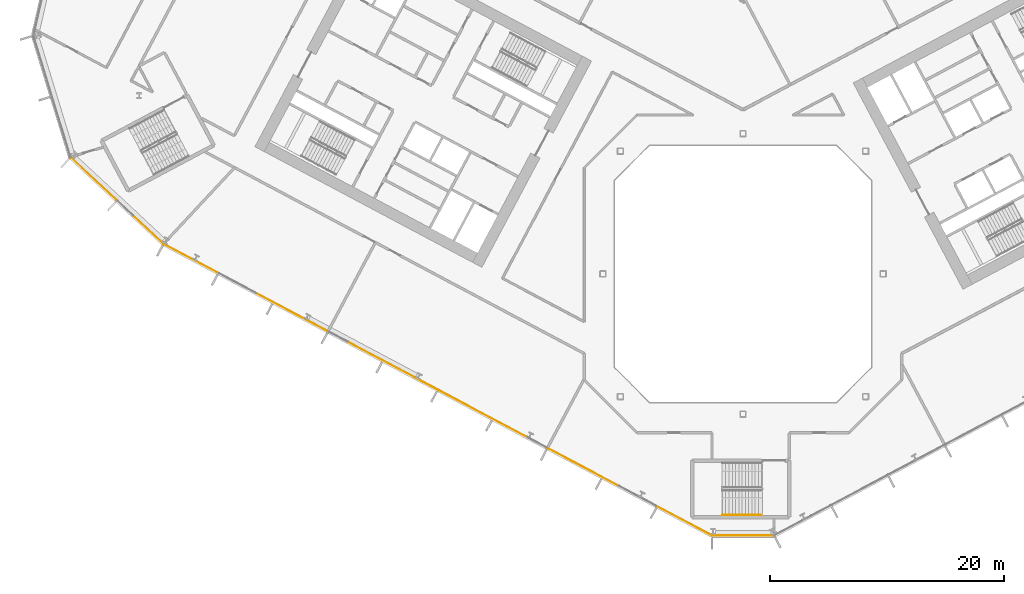
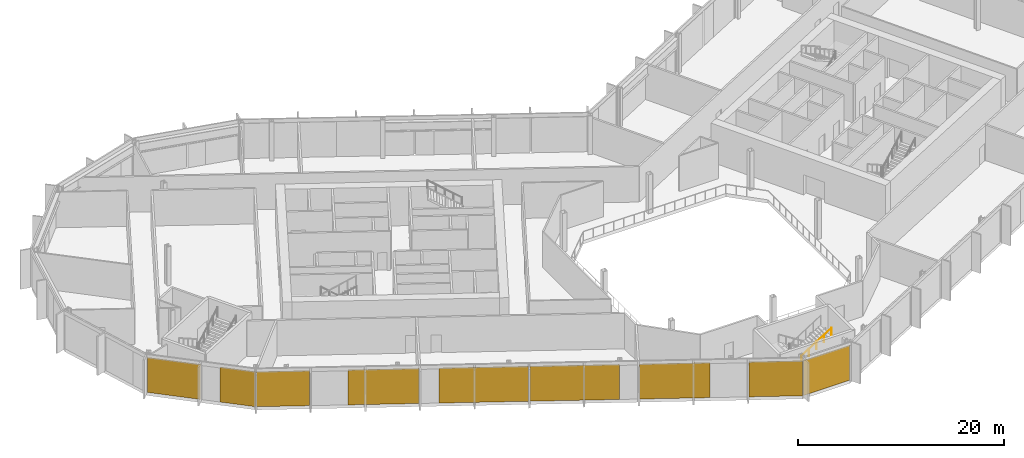
# One storey, part 22 of 32: 9 coverings, 1 railing, 3 elements without a shape of their own.
"""IFC4 building model written with IfcOpenShell, lengths in metres."""

from ifc_helpers import new_model, si_unit, direction, frame, origin, origin_2d, place, context, subcontext, project, spatial, polyline, rectangle, outline, extrude, material, layer, layer_set, type_object, element, aggregate, save


model = new_model("IFC4")

# Units and contexts
model_context = context("Model", 3, precision=1e-05, world=origin(), true_north=direction((0.0, 1.0)))
body_context = subcontext(model_context, "Body", "Model", "MODEL_VIEW")
ifc_project = project(units=[si_unit("LENGTHUNIT", "METRE"), si_unit("AREAUNIT", "SQUARE_METRE"), si_unit("VOLUMEUNIT", "CUBIC_METRE"), si_unit("PLANEANGLEUNIT", "RADIAN"), si_unit("MASSUNIT", "GRAM", prefix="KILO")], contexts=[model_context])

# Site, building, storey
site_placement = place(None, origin())
site = spatial("IfcSite", under=ifc_project, at=site_placement, CompositionType="ELEMENT")
building_placement = place(site_placement, origin())
building = spatial("IfcBuilding", under=site, at=building_placement, Name="Cormorant Relay Tower", CompositionType="ELEMENT")
storey_placement = place(building_placement, frame((0.0, 0.0, 75.39990234375)))
storey = spatial("IfcBuildingStorey", under=building, at=storey_placement, Name="L14", CompositionType="ELEMENT", Elevation=75.39990234375)

# Curtain wall, covering
ifc_material_1 = material(Name="Aluminium 6063-T6 anodised bronze", Category="aluminium")
ifc_layer_1 = layer(ifc_material_1, 0.199951171875)
ifc_layer_set_1 = layer_set([ifc_layer_1], Name="CW1 unitised bronze curtain wall with vertical fins")
curtain_wall_type = type_object("IfcCurtainWallType", Name="CW1 unitised bronze curtain wall with vertical fins", PredefinedType="NOTDEFINED", material=ifc_layer_set_1)
curtain_wall_1_placement = place(storey_placement, origin())
curtain_wall_1 = element("IfcCurtainWall", 1, at=curtain_wall_1_placement, inside=storey, type_object=curtain_wall_type, Name="CW1 curtain wall 1", PredefinedType="NOTDEFINED")
ifc_material_2 = material(Name="Pale bronze anodised aluminium insulated panel", Category="aluminium")
ifc_layer_2 = layer(ifc_material_2, 0.0400390625)
ifc_layer_set_2 = layer_set([ifc_layer_2], Name="CW1 pale bronze insulated panel 40")
covering_type = type_object("IfcCoveringType", Name="CW1 pale bronze insulated panel 40", PredefinedType="CLADDING", material=ifc_layer_set_2)
covering_1_placement = place(storey_placement, frame((0.03759765625, -22.3955078125, 0.000244140625), z_axis=(0.0, 0.0, 1.0), x_axis=(1.0, 0.0, 0.0)))
covering_1 = element("IfcCovering", 2, at=covering_1_placement, type_object=covering_type, Name="CW1 panel S00", PredefinedType="CLADDING", context=body_context, shape_type="SweptSolid", body=[
    extrude(rectangle(XDim=5.22265625, YDim=0.0400390625, at=origin_2d()), origin(), (0.0, 0.0, 1.0), 4.14990234375),
])
aggregate(curtain_wall_1, [covering_1])

# Curtain wall, coverings
curtain_wall_2_placement = place(storey_placement, origin())
curtain_wall_2 = element("IfcCurtainWall", 3, at=curtain_wall_2_placement, inside=storey, type_object=curtain_wall_type, Name="CW1 curtain wall 13", PredefinedType="NOTDEFINED")
covering_2_placement = place(storey_placement, frame((-55.56787109375, 8.1298828125, 0.000244140625), z_axis=(0.0, 0.0, 1.0), x_axis=(0.731353701619, -0.681998360062, 0.0)))
covering_2 = element("IfcCovering", 4, at=covering_2_placement, type_object=covering_type, Name="CW1 panel S00", PredefinedType="CLADDING", context=body_context, shape_type="SweptSolid", body=[
    extrude(rectangle(XDim=5.28515625, YDim=0.0400390625, at=origin_2d()), origin(), (0.0, 0.0, 1.0), 4.14990234375),
])
covering_3_placement = place(storey_placement, frame((-50.906982421875, 3.78369140625, 0.000244140625), z_axis=(0.0, 0.0, 1.0), x_axis=(0.731353701619, -0.681998360062, 0.0)))
covering_3 = element("IfcCovering", 5, at=covering_3_placement, type_object=covering_type, Name="CW1 panel S02", PredefinedType="CLADDING", context=body_context, shape_type="SweptSolid", body=[
    extrude(rectangle(XDim=3.560302734375, YDim=0.0400390625, at=origin_2d()), origin(), (0.0, 0.0, 1.0), 4.14990234375),
])
aggregate(curtain_wall_2, [covering_2, covering_3])

curtain_wall_3_placement = place(storey_placement, origin())
curtain_wall_3 = element("IfcCurtainWall", 6, at=curtain_wall_3_placement, inside=storey, type_object=curtain_wall_type, Name="CW1 curtain wall 14", PredefinedType="NOTDEFINED")
covering_4_placement = place(storey_placement, frame((-47.25390625, 1.318603515625, 0.000244140625), z_axis=(0.0, 0.0, 1.0), x_axis=(0.882947592859, -0.469471562786, 0.0)))
covering_4 = element("IfcCovering", 7, at=covering_4_placement, type_object=covering_type, Name="CW1 panel S00", PredefinedType="CLADDING", context=body_context, shape_type="SweptSolid", body=[
    extrude(rectangle(XDim=5.16650390625, YDim=0.0400390625, at=origin_2d()), origin(), (0.0, 0.0, 1.0), 4.14990234375),
])
covering_5_placement = place(storey_placement, frame((-38.623046875, -3.2705078125, 0.000244140625), z_axis=(0.0, 0.0, 1.0), x_axis=(0.882947592859, -0.469471562786, 0.0)))
covering_5 = element("IfcCovering", 8, at=covering_5_placement, type_object=covering_type, Name="CW1 panel S02", PredefinedType="CLADDING", context=body_context, shape_type="SweptSolid", body=[
    extrude(rectangle(XDim=6.88330078125, YDim=0.0400390625, at=origin_2d()), origin(), (0.0, 0.0, 1.0), 4.14990234375),
])
covering_6_placement = place(storey_placement, frame((-30.029296875, -7.83984375, 0.000244140625), z_axis=(0.0, 0.0, 1.0), x_axis=(0.882947592859, -0.469471562786, 0.0)))
covering_6 = element("IfcCovering", 9, at=covering_6_placement, type_object=covering_type, Name="CW1 panel S04", PredefinedType="CLADDING", context=body_context, shape_type="SweptSolid", body=[
    extrude(rectangle(XDim=8.68310546875, YDim=0.0400390625, at=origin_2d()), origin(), (0.0, 0.0, 1.0), 4.14990234375),
])
covering_7_placement = place(storey_placement, frame((-22.22998046875, -11.98681640625, 0.000244140625), z_axis=(0.0, 0.0, 1.0), x_axis=(0.882947592859, -0.469471562786, 0.0)))
covering_7 = element("IfcCovering", 10, at=covering_7_placement, type_object=covering_type, Name="CW1 panel S05", PredefinedType="CLADDING", context=body_context, shape_type="SweptSolid", body=[
    extrude(rectangle(XDim=8.68310546875, YDim=0.0400390625, at=origin_2d()), origin(), (0.0, 0.0, 1.0), 4.14990234375),
])
covering_8_placement = place(storey_placement, frame((-13.635986328125, -16.55615234375, 0.000244140625), z_axis=(0.0, 0.0, 1.0), x_axis=(0.882947592859, -0.469471562786, 0.0)))
covering_8 = element("IfcCovering", 11, at=covering_8_placement, type_object=covering_type, Name="CW1 panel S07", PredefinedType="CLADDING", context=body_context, shape_type="SweptSolid", body=[
    extrude(rectangle(XDim=6.88330078125, YDim=0.0400390625, at=origin_2d()), origin(), (0.0, 0.0, 1.0), 4.14990234375),
])
covering_9_placement = place(storey_placement, frame((-4.972412109375, -21.162841796875, 0.000244140625), z_axis=(0.0, 0.0, 1.0), x_axis=(0.882947592859, -0.469471562786, 0.0)))
covering_9 = element("IfcCovering", 12, at=covering_9_placement, type_object=covering_type, Name="CW1 panel S09", PredefinedType="CLADDING", context=body_context, shape_type="SweptSolid", body=[
    extrude(rectangle(XDim=5.24169921875, YDim=0.0400390625, at=origin_2d()), origin(), (0.0, 0.0, 1.0), 4.14990234375),
])
aggregate(curtain_wall_3, [covering_4, covering_5, covering_6, covering_7, covering_8, covering_9])

# Railing
ifc_material_3 = material(Name="Steel ASTM A572 Grade 50 (Fy 345 MPa)", Category="steel")
railing_type = type_object("IfcRailingType", Name="Stair handrail 900", PredefinedType="HANDRAIL", material=ifc_material_3)
railing_placement = place(storey_placement, frame((-1.760009765625, -20.625, 2.47705078125)))
element("IfcRailing", 13, at=railing_placement, inside=storey, type_object=railing_type, Name="L14 RK1 stair handrail 2", PredefinedType="HANDRAIL", context=body_context, shape_type="SweptSolid", body=[
    extrude(outline(polyline([(0.022216796875, 0.00927734375), (0.00927734375, 0.022216796875), (-0.00927734375, 0.022216796875), (-0.022216796875, 0.00927734375), (-0.022216796875, -0.00927734375), (-0.00927734375, -0.022216796875), (0.00927734375, -0.022216796875), (0.022216796875, -0.00927734375), (0.022216796875, 0.00927734375)])), frame((0.0, 0.0, 0.8759765625), z_axis=(0.845389635667, 0.0, 0.534150132366), x_axis=(0.0, 1.0, 0.0)), (0.0, 0.0, 1.0), 3.974609375),
    extrude(outline(polyline([(0.019287109375, 0.008056640625), (0.008056640625, 0.019287109375), (-0.008056640625, 0.019287109375), (-0.019287109375, 0.008056640625), (-0.019287109375, -0.008056640625), (-0.008056640625, -0.019287109375), (0.008056640625, -0.019287109375), (0.019287109375, -0.008056640625), (0.019287109375, 0.008056640625)])), origin(), (0.0, 0.0, 1.0), 0.851806640625),
    extrude(outline(polyline([(0.019287109375, 0.008056640625), (0.008056640625, 0.019287109375), (-0.008056640625, 0.019287109375), (-0.019287109375, 0.008056640625), (-0.019287109375, -0.008056640625), (-0.008056640625, -0.019287109375), (0.008056640625, -0.019287109375), (0.019287109375, -0.008056640625), (0.019287109375, 0.008056640625)])), frame((0.840087890625, 0.0, 0.53076171875)), (0.0, 0.0, 1.0), 0.851806640625),
    extrude(outline(polyline([(0.019287109375, 0.008056640625), (0.008056640625, 0.019287109375), (-0.008056640625, 0.019287109375), (-0.019287109375, 0.008056640625), (-0.019287109375, -0.008056640625), (-0.008056640625, -0.019287109375), (0.008056640625, -0.019287109375), (0.019287109375, -0.008056640625), (0.019287109375, 0.008056640625)])), frame((1.68017578125, 0.0, 1.0615234375)), (0.0, 0.0, 1.0), 0.851806640625),
    extrude(outline(polyline([(0.019287109375, 0.008056640625), (0.008056640625, 0.019287109375), (-0.008056640625, 0.019287109375), (-0.019287109375, 0.008056640625), (-0.019287109375, -0.008056640625), (-0.008056640625, -0.019287109375), (0.008056640625, -0.019287109375), (0.019287109375, -0.008056640625), (0.019287109375, 0.008056640625)])), frame((2.52001953125, 0.0, 1.59228515625)), (0.0, 0.0, 1.0), 0.851806640625),
    extrude(outline(polyline([(0.019287109375, 0.008056640625), (0.008056640625, 0.019287109375), (-0.008056640625, 0.019287109375), (-0.019287109375, 0.008056640625), (-0.019287109375, -0.008056640625), (-0.008056640625, -0.019287109375), (0.008056640625, -0.019287109375), (0.019287109375, -0.008056640625), (0.019287109375, 0.008056640625)])), frame((3.360107421875, 0.0, 2.123046875)), (0.0, 0.0, 1.0), 0.851806640625),
])

save(model, "model.ifc")
